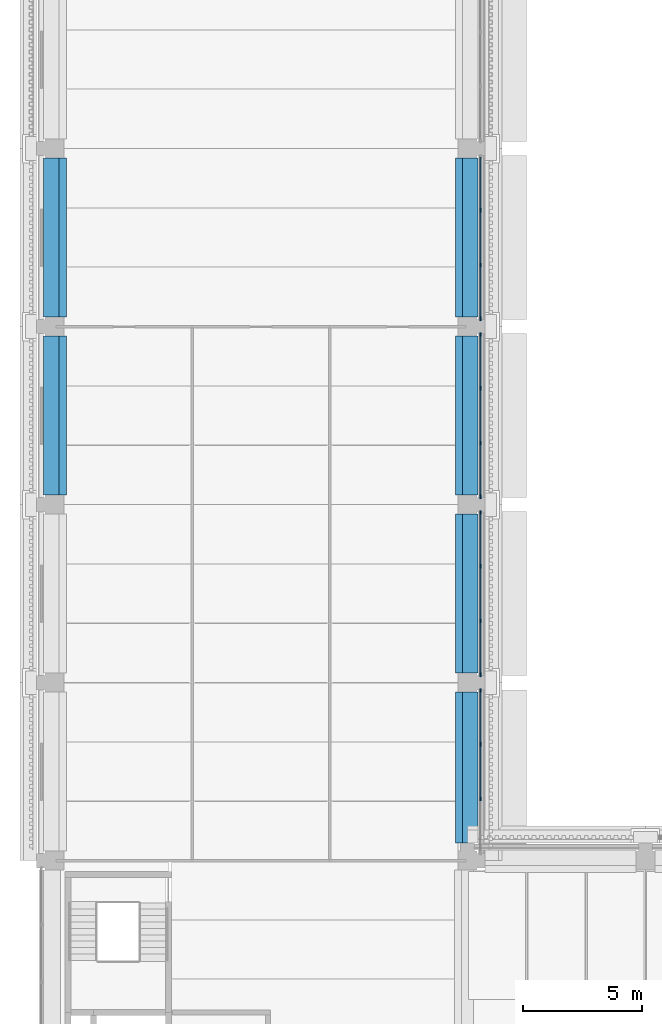
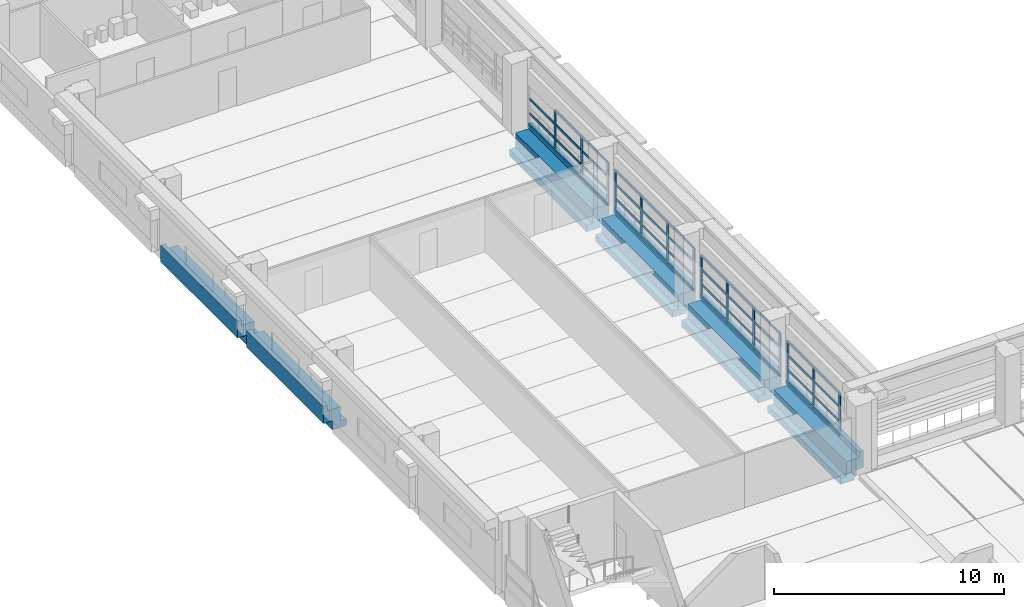
# One storey, part 9 of 71: 57 members, 6 beams, 4 elements without a shape of their own.
"""IFC4 building model written with IfcOpenShell, lengths in metres."""

from ifc_helpers import new_model, si_unit, direction, frame, origin, origin_2d, place, context, subcontext, project, spatial, polyline, rectangle, outline, extrude, material, layer, layer_set, material_profile, profile_set, type_object, element, aggregate, save


model = new_model("IFC4")

# Units and contexts
model_context = context("Model", 3, precision=1e-05, world=origin(), true_north=direction((0.0, 1.0)))
body_context = subcontext(model_context, "Body", "Model", "MODEL_VIEW")
ifc_project = project(units=[si_unit("LENGTHUNIT", "METRE"), si_unit("AREAUNIT", "SQUARE_METRE"), si_unit("VOLUMEUNIT", "CUBIC_METRE"), si_unit("PLANEANGLEUNIT", "RADIAN"), si_unit("MASSUNIT", "GRAM", prefix="KILO")], contexts=[model_context])

# Site, building, storey
site_placement = place(None, origin())
site = spatial("IfcSite", under=ifc_project, at=site_placement, CompositionType="ELEMENT")
building_placement = place(site_placement, origin())
building = spatial("IfcBuilding", under=site, at=building_placement, Name="Cour d'Honneur Mobility Palace", CompositionType="ELEMENT")
storey_placement = place(building_placement, frame((0.0, 0.0, 15.60009765625)))
storey = spatial("IfcBuildingStorey", under=building, at=storey_placement, Name="L04", CompositionType="ELEMENT", Elevation=15.60009765625)

# Curtain wall, members
ifc_material_1 = material(Name="Aluminium and glass", Category="aluminium")
ifc_layer = layer(ifc_material_1, 0.10009765625)
ifc_layer_set = layer_set([ifc_layer], Name="Aluminium and glass")
curtain_wall_type = type_object("IfcCurtainWallType", Name="Curtain wall run", PredefinedType="NOTDEFINED", material=ifc_layer_set)
curtain_wall_1_placement = place(storey_placement, origin())
curtain_wall_1 = element("IfcCurtainWall", 1, at=curtain_wall_1_placement, inside=storey, type_object=curtain_wall_type, Name="Curtain wall CW-37", PredefinedType="NOTDEFINED")
ifc_material_2 = material(Name="Aluminium", Category="aluminium")
ifc_material_profile_1 = material_profile(ifc_material_2, rectangle(XDim=0.06005859375, YDim=0.159912109375, at=origin_2d()), Name="Curtain wall mullion")
ifc_profile_set_1 = profile_set([ifc_material_profile_1], Name="Aluminium")
member_type_1 = type_object("IfcMemberType", Name="Curtain wall mullion", PredefinedType="MULLION", material=ifc_profile_set_1)
member_1_placement = place(storey_placement, frame((17.949951171875, 65.0, 0.0), z_axis=(0.0, 0.0, 1.0), x_axis=(-1.0, 0.0, 0.0)))
member_1 = element("IfcMember", 2, at=member_1_placement, type_object=member_type_1, Name="CW-37 mullion 2", PredefinedType="MULLION", context=body_context, shape_type="SweptSolid", body=[
    extrude(rectangle(XDim=0.06005859375, YDim=0.159912109375, at=origin_2d()), origin(), (0.0, 0.0, 1.0), 2.2998046875),
])
member_2_placement = place(storey_placement, frame((17.949951171875, 67.300048828125, 0.0), z_axis=(0.0, 0.0, 1.0), x_axis=(-1.0, 0.0, 0.0)))
member_2 = element("IfcMember", 3, at=member_2_placement, type_object=member_type_1, Name="CW-37 mullion 3", PredefinedType="MULLION", context=body_context, shape_type="SweptSolid", body=[
    extrude(rectangle(XDim=0.06005859375, YDim=0.159912109375, at=origin_2d()), origin(), (0.0, 0.0, 1.0), 2.2998046875),
])
member_3_placement = place(storey_placement, frame((17.949951171875, 69.570068359375, 0.0), z_axis=(0.0, 0.0, 1.0), x_axis=(-1.0, 0.0, 0.0)))
member_3 = element("IfcMember", 4, at=member_3_placement, type_object=member_type_1, Name="CW-37 mullion 4", PredefinedType="MULLION", context=body_context, shape_type="SweptSolid", body=[
    extrude(rectangle(XDim=0.06005859375, YDim=0.159912109375, at=origin_2d()), origin(), (0.0, 0.0, 1.0), 2.2998046875),
])

curtain_wall_2_placement = place(storey_placement, origin())
curtain_wall_2 = element("IfcCurtainWall", 5, at=curtain_wall_2_placement, inside=storey, type_object=curtain_wall_type, Name="Curtain wall CW-38", PredefinedType="NOTDEFINED")
member_4_placement = place(storey_placement, frame((17.949951171875, 70.22998046875, 0.0), z_axis=(0.0, 0.0, 1.0), x_axis=(-1.0, 0.0, 0.0)))
member_4 = element("IfcMember", 6, at=member_4_placement, type_object=member_type_1, Name="CW-38 mullion 1", PredefinedType="MULLION", context=body_context, shape_type="SweptSolid", body=[
    extrude(rectangle(XDim=0.06005859375, YDim=0.159912109375, at=origin_2d()), origin(), (0.0, 0.0, 1.0), 2.2998046875),
])
member_5_placement = place(storey_placement, frame((17.949951171875, 72.5, 0.0), z_axis=(0.0, 0.0, 1.0), x_axis=(-1.0, 0.0, 0.0)))
member_5 = element("IfcMember", 7, at=member_5_placement, type_object=member_type_1, Name="CW-38 mullion 2", PredefinedType="MULLION", context=body_context, shape_type="SweptSolid", body=[
    extrude(rectangle(XDim=0.06005859375, YDim=0.159912109375, at=origin_2d()), origin(), (0.0, 0.0, 1.0), 2.2998046875),
])
member_6_placement = place(storey_placement, frame((17.949951171875, 74.800048828125, 0.0), z_axis=(0.0, 0.0, 1.0), x_axis=(-1.0, 0.0, 0.0)))
member_6 = element("IfcMember", 8, at=member_6_placement, type_object=member_type_1, Name="CW-38 mullion 3", PredefinedType="MULLION", context=body_context, shape_type="SweptSolid", body=[
    extrude(rectangle(XDim=0.06005859375, YDim=0.159912109375, at=origin_2d()), origin(), (0.0, 0.0, 1.0), 2.2998046875),
])
member_7_placement = place(storey_placement, frame((17.949951171875, 77.070068359375, 0.0), z_axis=(0.0, 0.0, 1.0), x_axis=(-1.0, 0.0, 0.0)))
member_7 = element("IfcMember", 9, at=member_7_placement, type_object=member_type_1, Name="CW-38 mullion 4", PredefinedType="MULLION", context=body_context, shape_type="SweptSolid", body=[
    extrude(rectangle(XDim=0.06005859375, YDim=0.159912109375, at=origin_2d()), origin(), (0.0, 0.0, 1.0), 2.2998046875),
])

curtain_wall_3_placement = place(storey_placement, origin())
curtain_wall_3 = element("IfcCurtainWall", 10, at=curtain_wall_3_placement, inside=storey, type_object=curtain_wall_type, Name="Curtain wall CW-39", PredefinedType="NOTDEFINED")
member_8_placement = place(storey_placement, frame((17.949951171875, 77.72998046875, 0.0), z_axis=(0.0, 0.0, 1.0), x_axis=(-1.0, 0.0, 0.0)))
member_8 = element("IfcMember", 11, at=member_8_placement, type_object=member_type_1, Name="CW-39 mullion 1", PredefinedType="MULLION", context=body_context, shape_type="SweptSolid", body=[
    extrude(rectangle(XDim=0.06005859375, YDim=0.159912109375, at=origin_2d()), origin(), (0.0, 0.0, 1.0), 2.2998046875),
])
member_9_placement = place(storey_placement, frame((17.949951171875, 80.0, 0.0), z_axis=(0.0, 0.0, 1.0), x_axis=(-1.0, 0.0, 0.0)))
member_9 = element("IfcMember", 12, at=member_9_placement, type_object=member_type_1, Name="CW-39 mullion 2", PredefinedType="MULLION", context=body_context, shape_type="SweptSolid", body=[
    extrude(rectangle(XDim=0.06005859375, YDim=0.159912109375, at=origin_2d()), origin(), (0.0, 0.0, 1.0), 2.2998046875),
])
member_10_placement = place(storey_placement, frame((17.949951171875, 82.300048828125, 0.0), z_axis=(0.0, 0.0, 1.0), x_axis=(-1.0, 0.0, 0.0)))
member_10 = element("IfcMember", 13, at=member_10_placement, type_object=member_type_1, Name="CW-39 mullion 3", PredefinedType="MULLION", context=body_context, shape_type="SweptSolid", body=[
    extrude(rectangle(XDim=0.06005859375, YDim=0.159912109375, at=origin_2d()), origin(), (0.0, 0.0, 1.0), 2.2998046875),
])
member_11_placement = place(storey_placement, frame((17.949951171875, 84.570068359375, 0.0), z_axis=(0.0, 0.0, 1.0), x_axis=(-1.0, 0.0, 0.0)))
member_11 = element("IfcMember", 14, at=member_11_placement, type_object=member_type_1, Name="CW-39 mullion 4", PredefinedType="MULLION", context=body_context, shape_type="SweptSolid", body=[
    extrude(rectangle(XDim=0.06005859375, YDim=0.159912109375, at=origin_2d()), origin(), (0.0, 0.0, 1.0), 2.2998046875),
])

curtain_wall_4_placement = place(storey_placement, origin())
curtain_wall_4 = element("IfcCurtainWall", 15, at=curtain_wall_4_placement, inside=storey, type_object=curtain_wall_type, Name="Curtain wall CW-40", PredefinedType="NOTDEFINED")
member_12_placement = place(storey_placement, frame((17.949951171875, 85.22998046875, 0.0), z_axis=(0.0, 0.0, 1.0), x_axis=(-1.0, 0.0, 0.0)))
member_12 = element("IfcMember", 16, at=member_12_placement, type_object=member_type_1, Name="CW-40 mullion 1", PredefinedType="MULLION", context=body_context, shape_type="SweptSolid", body=[
    extrude(rectangle(XDim=0.06005859375, YDim=0.159912109375, at=origin_2d()), origin(), (0.0, 0.0, 1.0), 2.2998046875),
])
member_13_placement = place(storey_placement, frame((17.949951171875, 87.5, 0.0), z_axis=(0.0, 0.0, 1.0), x_axis=(-1.0, 0.0, 0.0)))
member_13 = element("IfcMember", 17, at=member_13_placement, type_object=member_type_1, Name="CW-40 mullion 2", PredefinedType="MULLION", context=body_context, shape_type="SweptSolid", body=[
    extrude(rectangle(XDim=0.06005859375, YDim=0.159912109375, at=origin_2d()), origin(), (0.0, 0.0, 1.0), 2.2998046875),
])
member_14_placement = place(storey_placement, frame((17.949951171875, 89.800048828125, 0.0), z_axis=(0.0, 0.0, 1.0), x_axis=(-1.0, 0.0, 0.0)))
member_14 = element("IfcMember", 18, at=member_14_placement, type_object=member_type_1, Name="CW-40 mullion 3", PredefinedType="MULLION", context=body_context, shape_type="SweptSolid", body=[
    extrude(rectangle(XDim=0.06005859375, YDim=0.159912109375, at=origin_2d()), origin(), (0.0, 0.0, 1.0), 2.2998046875),
])

# Member
ifc_material_3 = material(Name="Aluminium", Category="aluminium")
ifc_material_profile_2 = material_profile(ifc_material_3, rectangle(XDim=0.06005859375, YDim=0.1201171875, at=origin_2d()), Name="Curtain wall transom")
ifc_profile_set_2 = profile_set([ifc_material_profile_2], Name="Aluminium")
member_type_2 = type_object("IfcMemberType", Name="Curtain wall transom", PredefinedType="USERDEFINED", material=ifc_profile_set_2)
member_15_placement = place(storey_placement, frame((17.949951171875, 65.030029296875, 0.02978515625), z_axis=(0.0, 1.0, 0.0), x_axis=(-1.0, 0.0, 0.0)))
member_15 = element("IfcMember", 19, at=member_15_placement, type_object=member_type_2, Name="CW-37 transom 2.1", ObjectType="TRANSOM", PredefinedType="USERDEFINED", context=body_context, shape_type="SweptSolid", body=[
    extrude(rectangle(XDim=0.06005859375, YDim=0.1201171875, at=origin_2d()), origin(), (0.0, 0.0, 1.0), 2.239990234375),
])

member_16_placement = place(storey_placement, frame((17.949951171875, 65.030029296875, 0.7666015625), z_axis=(0.0, 1.0, 0.0), x_axis=(-1.0, 0.0, 0.0)))
member_16 = element("IfcMember", 20, at=member_16_placement, type_object=member_type_2, Name="CW-37 transom 2.2", ObjectType="TRANSOM", PredefinedType="USERDEFINED", context=body_context, shape_type="SweptSolid", body=[
    extrude(rectangle(XDim=0.06005859375, YDim=0.1201171875, at=origin_2d()), origin(), (0.0, 0.0, 1.0), 2.239990234375),
])

member_17_placement = place(storey_placement, frame((17.949951171875, 65.030029296875, 1.533203125), z_axis=(0.0, 1.0, 0.0), x_axis=(-1.0, 0.0, 0.0)))
member_17 = element("IfcMember", 21, at=member_17_placement, type_object=member_type_2, Name="CW-37 transom 2.3", ObjectType="TRANSOM", PredefinedType="USERDEFINED", context=body_context, shape_type="SweptSolid", body=[
    extrude(rectangle(XDim=0.06005859375, YDim=0.1201171875, at=origin_2d()), origin(), (0.0, 0.0, 1.0), 2.239990234375),
])

member_18_placement = place(storey_placement, frame((17.949951171875, 65.030029296875, 2.27001953125), z_axis=(0.0, 1.0, 0.0), x_axis=(-1.0, 0.0, 0.0)))
member_18 = element("IfcMember", 22, at=member_18_placement, type_object=member_type_2, Name="CW-37 transom 2.4", ObjectType="TRANSOM", PredefinedType="USERDEFINED", context=body_context, shape_type="SweptSolid", body=[
    extrude(rectangle(XDim=0.06005859375, YDim=0.1201171875, at=origin_2d()), origin(), (0.0, 0.0, 1.0), 2.239990234375),
])

member_19_placement = place(storey_placement, frame((17.949951171875, 67.330078125, 0.02978515625), z_axis=(0.0, 1.0, 0.0), x_axis=(-1.0, 0.0, 0.0)))
member_19 = element("IfcMember", 23, at=member_19_placement, type_object=member_type_2, Name="CW-37 transom 3.1", ObjectType="TRANSOM", PredefinedType="USERDEFINED", context=body_context, shape_type="SweptSolid", body=[
    extrude(rectangle(XDim=0.06005859375, YDim=0.1201171875, at=origin_2d()), origin(), (0.0, 0.0, 1.0), 2.2099609375),
])

member_20_placement = place(storey_placement, frame((17.949951171875, 67.330078125, 0.7666015625), z_axis=(0.0, 1.0, 0.0), x_axis=(-1.0, 0.0, 0.0)))
member_20 = element("IfcMember", 24, at=member_20_placement, type_object=member_type_2, Name="CW-37 transom 3.2", ObjectType="TRANSOM", PredefinedType="USERDEFINED", context=body_context, shape_type="SweptSolid", body=[
    extrude(rectangle(XDim=0.06005859375, YDim=0.1201171875, at=origin_2d()), origin(), (0.0, 0.0, 1.0), 2.2099609375),
])

member_21_placement = place(storey_placement, frame((17.949951171875, 67.330078125, 1.533203125), z_axis=(0.0, 1.0, 0.0), x_axis=(-1.0, 0.0, 0.0)))
member_21 = element("IfcMember", 25, at=member_21_placement, type_object=member_type_2, Name="CW-37 transom 3.3", ObjectType="TRANSOM", PredefinedType="USERDEFINED", context=body_context, shape_type="SweptSolid", body=[
    extrude(rectangle(XDim=0.06005859375, YDim=0.1201171875, at=origin_2d()), origin(), (0.0, 0.0, 1.0), 2.2099609375),
])

member_22_placement = place(storey_placement, frame((17.949951171875, 67.330078125, 2.27001953125), z_axis=(0.0, 1.0, 0.0), x_axis=(-1.0, 0.0, 0.0)))
member_22 = element("IfcMember", 26, at=member_22_placement, type_object=member_type_2, Name="CW-37 transom 3.4", ObjectType="TRANSOM", PredefinedType="USERDEFINED", context=body_context, shape_type="SweptSolid", body=[
    extrude(rectangle(XDim=0.06005859375, YDim=0.1201171875, at=origin_2d()), origin(), (0.0, 0.0, 1.0), 2.2099609375),
])

aggregate(curtain_wall_1, [member_1, member_2, member_3, member_15, member_16, member_17, member_18, member_19, member_20, member_21, member_22])

member_23_placement = place(storey_placement, frame((17.949951171875, 70.260009765625, 0.02978515625), z_axis=(0.0, 1.0, 0.0), x_axis=(-1.0, 0.0, 0.0)))
member_23 = element("IfcMember", 27, at=member_23_placement, type_object=member_type_2, Name="CW-38 transom 1.1", ObjectType="TRANSOM", PredefinedType="USERDEFINED", context=body_context, shape_type="SweptSolid", body=[
    extrude(rectangle(XDim=0.06005859375, YDim=0.1201171875, at=origin_2d()), origin(), (0.0, 0.0, 1.0), 2.2099609375),
])

member_24_placement = place(storey_placement, frame((17.949951171875, 70.260009765625, 0.7666015625), z_axis=(0.0, 1.0, 0.0), x_axis=(-1.0, 0.0, 0.0)))
member_24 = element("IfcMember", 28, at=member_24_placement, type_object=member_type_2, Name="CW-38 transom 1.2", ObjectType="TRANSOM", PredefinedType="USERDEFINED", context=body_context, shape_type="SweptSolid", body=[
    extrude(rectangle(XDim=0.06005859375, YDim=0.1201171875, at=origin_2d()), origin(), (0.0, 0.0, 1.0), 2.2099609375),
])

member_25_placement = place(storey_placement, frame((17.949951171875, 70.260009765625, 1.533203125), z_axis=(0.0, 1.0, 0.0), x_axis=(-1.0, 0.0, 0.0)))
member_25 = element("IfcMember", 29, at=member_25_placement, type_object=member_type_2, Name="CW-38 transom 1.3", ObjectType="TRANSOM", PredefinedType="USERDEFINED", context=body_context, shape_type="SweptSolid", body=[
    extrude(rectangle(XDim=0.06005859375, YDim=0.1201171875, at=origin_2d()), origin(), (0.0, 0.0, 1.0), 2.2099609375),
])

member_26_placement = place(storey_placement, frame((17.949951171875, 70.260009765625, 2.27001953125), z_axis=(0.0, 1.0, 0.0), x_axis=(-1.0, 0.0, 0.0)))
member_26 = element("IfcMember", 30, at=member_26_placement, type_object=member_type_2, Name="CW-38 transom 1.4", ObjectType="TRANSOM", PredefinedType="USERDEFINED", context=body_context, shape_type="SweptSolid", body=[
    extrude(rectangle(XDim=0.06005859375, YDim=0.1201171875, at=origin_2d()), origin(), (0.0, 0.0, 1.0), 2.2099609375),
])

member_27_placement = place(storey_placement, frame((17.949951171875, 72.530029296875, 0.02978515625), z_axis=(0.0, 1.0, 0.0), x_axis=(-1.0, 0.0, 0.0)))
member_27 = element("IfcMember", 31, at=member_27_placement, type_object=member_type_2, Name="CW-38 transom 2.1", ObjectType="TRANSOM", PredefinedType="USERDEFINED", context=body_context, shape_type="SweptSolid", body=[
    extrude(rectangle(XDim=0.06005859375, YDim=0.1201171875, at=origin_2d()), origin(), (0.0, 0.0, 1.0), 2.239990234375),
])

member_28_placement = place(storey_placement, frame((17.949951171875, 72.530029296875, 0.7666015625), z_axis=(0.0, 1.0, 0.0), x_axis=(-1.0, 0.0, 0.0)))
member_28 = element("IfcMember", 32, at=member_28_placement, type_object=member_type_2, Name="CW-38 transom 2.2", ObjectType="TRANSOM", PredefinedType="USERDEFINED", context=body_context, shape_type="SweptSolid", body=[
    extrude(rectangle(XDim=0.06005859375, YDim=0.1201171875, at=origin_2d()), origin(), (0.0, 0.0, 1.0), 2.239990234375),
])

member_29_placement = place(storey_placement, frame((17.949951171875, 72.530029296875, 1.533203125), z_axis=(0.0, 1.0, 0.0), x_axis=(-1.0, 0.0, 0.0)))
member_29 = element("IfcMember", 33, at=member_29_placement, type_object=member_type_2, Name="CW-38 transom 2.3", ObjectType="TRANSOM", PredefinedType="USERDEFINED", context=body_context, shape_type="SweptSolid", body=[
    extrude(rectangle(XDim=0.06005859375, YDim=0.1201171875, at=origin_2d()), origin(), (0.0, 0.0, 1.0), 2.239990234375),
])

member_30_placement = place(storey_placement, frame((17.949951171875, 72.530029296875, 2.27001953125), z_axis=(0.0, 1.0, 0.0), x_axis=(-1.0, 0.0, 0.0)))
member_30 = element("IfcMember", 34, at=member_30_placement, type_object=member_type_2, Name="CW-38 transom 2.4", ObjectType="TRANSOM", PredefinedType="USERDEFINED", context=body_context, shape_type="SweptSolid", body=[
    extrude(rectangle(XDim=0.06005859375, YDim=0.1201171875, at=origin_2d()), origin(), (0.0, 0.0, 1.0), 2.239990234375),
])

member_31_placement = place(storey_placement, frame((17.949951171875, 74.830078125, 0.02978515625), z_axis=(0.0, 1.0, 0.0), x_axis=(-1.0, 0.0, 0.0)))
member_31 = element("IfcMember", 35, at=member_31_placement, type_object=member_type_2, Name="CW-38 transom 3.1", ObjectType="TRANSOM", PredefinedType="USERDEFINED", context=body_context, shape_type="SweptSolid", body=[
    extrude(rectangle(XDim=0.06005859375, YDim=0.1201171875, at=origin_2d()), origin(), (0.0, 0.0, 1.0), 2.2099609375),
])

member_32_placement = place(storey_placement, frame((17.949951171875, 74.830078125, 0.7666015625), z_axis=(0.0, 1.0, 0.0), x_axis=(-1.0, 0.0, 0.0)))
member_32 = element("IfcMember", 36, at=member_32_placement, type_object=member_type_2, Name="CW-38 transom 3.2", ObjectType="TRANSOM", PredefinedType="USERDEFINED", context=body_context, shape_type="SweptSolid", body=[
    extrude(rectangle(XDim=0.06005859375, YDim=0.1201171875, at=origin_2d()), origin(), (0.0, 0.0, 1.0), 2.2099609375),
])

member_33_placement = place(storey_placement, frame((17.949951171875, 74.830078125, 1.533203125), z_axis=(0.0, 1.0, 0.0), x_axis=(-1.0, 0.0, 0.0)))
member_33 = element("IfcMember", 37, at=member_33_placement, type_object=member_type_2, Name="CW-38 transom 3.3", ObjectType="TRANSOM", PredefinedType="USERDEFINED", context=body_context, shape_type="SweptSolid", body=[
    extrude(rectangle(XDim=0.06005859375, YDim=0.1201171875, at=origin_2d()), origin(), (0.0, 0.0, 1.0), 2.2099609375),
])

member_34_placement = place(storey_placement, frame((17.949951171875, 74.830078125, 2.27001953125), z_axis=(0.0, 1.0, 0.0), x_axis=(-1.0, 0.0, 0.0)))
member_34 = element("IfcMember", 38, at=member_34_placement, type_object=member_type_2, Name="CW-38 transom 3.4", ObjectType="TRANSOM", PredefinedType="USERDEFINED", context=body_context, shape_type="SweptSolid", body=[
    extrude(rectangle(XDim=0.06005859375, YDim=0.1201171875, at=origin_2d()), origin(), (0.0, 0.0, 1.0), 2.2099609375),
])

aggregate(curtain_wall_2, [member_4, member_5, member_6, member_7, member_23, member_24, member_25, member_26, member_27, member_28, member_29, member_30, member_31, member_32, member_33, member_34])

member_35_placement = place(storey_placement, frame((17.949951171875, 77.760009765625, 0.02978515625), z_axis=(0.0, 1.0, 0.0), x_axis=(-1.0, 0.0, 0.0)))
member_35 = element("IfcMember", 39, at=member_35_placement, type_object=member_type_2, Name="CW-39 transom 1.1", ObjectType="TRANSOM", PredefinedType="USERDEFINED", context=body_context, shape_type="SweptSolid", body=[
    extrude(rectangle(XDim=0.06005859375, YDim=0.1201171875, at=origin_2d()), origin(), (0.0, 0.0, 1.0), 2.2099609375),
])

member_36_placement = place(storey_placement, frame((17.949951171875, 77.760009765625, 0.7666015625), z_axis=(0.0, 1.0, 0.0), x_axis=(-1.0, 0.0, 0.0)))
member_36 = element("IfcMember", 40, at=member_36_placement, type_object=member_type_2, Name="CW-39 transom 1.2", ObjectType="TRANSOM", PredefinedType="USERDEFINED", context=body_context, shape_type="SweptSolid", body=[
    extrude(rectangle(XDim=0.06005859375, YDim=0.1201171875, at=origin_2d()), origin(), (0.0, 0.0, 1.0), 2.2099609375),
])

member_37_placement = place(storey_placement, frame((17.949951171875, 77.760009765625, 1.533203125), z_axis=(0.0, 1.0, 0.0), x_axis=(-1.0, 0.0, 0.0)))
member_37 = element("IfcMember", 41, at=member_37_placement, type_object=member_type_2, Name="CW-39 transom 1.3", ObjectType="TRANSOM", PredefinedType="USERDEFINED", context=body_context, shape_type="SweptSolid", body=[
    extrude(rectangle(XDim=0.06005859375, YDim=0.1201171875, at=origin_2d()), origin(), (0.0, 0.0, 1.0), 2.2099609375),
])

member_38_placement = place(storey_placement, frame((17.949951171875, 77.760009765625, 2.27001953125), z_axis=(0.0, 1.0, 0.0), x_axis=(-1.0, 0.0, 0.0)))
member_38 = element("IfcMember", 42, at=member_38_placement, type_object=member_type_2, Name="CW-39 transom 1.4", ObjectType="TRANSOM", PredefinedType="USERDEFINED", context=body_context, shape_type="SweptSolid", body=[
    extrude(rectangle(XDim=0.06005859375, YDim=0.1201171875, at=origin_2d()), origin(), (0.0, 0.0, 1.0), 2.2099609375),
])

member_39_placement = place(storey_placement, frame((17.949951171875, 80.030029296875, 0.02978515625), z_axis=(0.0, 1.0, 0.0), x_axis=(-1.0, 0.0, 0.0)))
member_39 = element("IfcMember", 43, at=member_39_placement, type_object=member_type_2, Name="CW-39 transom 2.1", ObjectType="TRANSOM", PredefinedType="USERDEFINED", context=body_context, shape_type="SweptSolid", body=[
    extrude(rectangle(XDim=0.06005859375, YDim=0.1201171875, at=origin_2d()), origin(), (0.0, 0.0, 1.0), 2.239990234375),
])

member_40_placement = place(storey_placement, frame((17.949951171875, 80.030029296875, 0.7666015625), z_axis=(0.0, 1.0, 0.0), x_axis=(-1.0, 0.0, 0.0)))
member_40 = element("IfcMember", 44, at=member_40_placement, type_object=member_type_2, Name="CW-39 transom 2.2", ObjectType="TRANSOM", PredefinedType="USERDEFINED", context=body_context, shape_type="SweptSolid", body=[
    extrude(rectangle(XDim=0.06005859375, YDim=0.1201171875, at=origin_2d()), origin(), (0.0, 0.0, 1.0), 2.239990234375),
])

member_41_placement = place(storey_placement, frame((17.949951171875, 80.030029296875, 1.533203125), z_axis=(0.0, 1.0, 0.0), x_axis=(-1.0, 0.0, 0.0)))
member_41 = element("IfcMember", 45, at=member_41_placement, type_object=member_type_2, Name="CW-39 transom 2.3", ObjectType="TRANSOM", PredefinedType="USERDEFINED", context=body_context, shape_type="SweptSolid", body=[
    extrude(rectangle(XDim=0.06005859375, YDim=0.1201171875, at=origin_2d()), origin(), (0.0, 0.0, 1.0), 2.239990234375),
])

member_42_placement = place(storey_placement, frame((17.949951171875, 80.030029296875, 2.27001953125), z_axis=(0.0, 1.0, 0.0), x_axis=(-1.0, 0.0, 0.0)))
member_42 = element("IfcMember", 46, at=member_42_placement, type_object=member_type_2, Name="CW-39 transom 2.4", ObjectType="TRANSOM", PredefinedType="USERDEFINED", context=body_context, shape_type="SweptSolid", body=[
    extrude(rectangle(XDim=0.06005859375, YDim=0.1201171875, at=origin_2d()), origin(), (0.0, 0.0, 1.0), 2.239990234375),
])

member_43_placement = place(storey_placement, frame((17.949951171875, 82.330078125, 0.02978515625), z_axis=(0.0, 1.0, 0.0), x_axis=(-1.0, 0.0, 0.0)))
member_43 = element("IfcMember", 47, at=member_43_placement, type_object=member_type_2, Name="CW-39 transom 3.1", ObjectType="TRANSOM", PredefinedType="USERDEFINED", context=body_context, shape_type="SweptSolid", body=[
    extrude(rectangle(XDim=0.06005859375, YDim=0.1201171875, at=origin_2d()), origin(), (0.0, 0.0, 1.0), 2.2099609375),
])

member_44_placement = place(storey_placement, frame((17.949951171875, 82.330078125, 0.7666015625), z_axis=(0.0, 1.0, 0.0), x_axis=(-1.0, 0.0, 0.0)))
member_44 = element("IfcMember", 48, at=member_44_placement, type_object=member_type_2, Name="CW-39 transom 3.2", ObjectType="TRANSOM", PredefinedType="USERDEFINED", context=body_context, shape_type="SweptSolid", body=[
    extrude(rectangle(XDim=0.06005859375, YDim=0.1201171875, at=origin_2d()), origin(), (0.0, 0.0, 1.0), 2.2099609375),
])

member_45_placement = place(storey_placement, frame((17.949951171875, 82.330078125, 1.533203125), z_axis=(0.0, 1.0, 0.0), x_axis=(-1.0, 0.0, 0.0)))
member_45 = element("IfcMember", 49, at=member_45_placement, type_object=member_type_2, Name="CW-39 transom 3.3", ObjectType="TRANSOM", PredefinedType="USERDEFINED", context=body_context, shape_type="SweptSolid", body=[
    extrude(rectangle(XDim=0.06005859375, YDim=0.1201171875, at=origin_2d()), origin(), (0.0, 0.0, 1.0), 2.2099609375),
])

member_46_placement = place(storey_placement, frame((17.949951171875, 82.330078125, 2.27001953125), z_axis=(0.0, 1.0, 0.0), x_axis=(-1.0, 0.0, 0.0)))
member_46 = element("IfcMember", 50, at=member_46_placement, type_object=member_type_2, Name="CW-39 transom 3.4", ObjectType="TRANSOM", PredefinedType="USERDEFINED", context=body_context, shape_type="SweptSolid", body=[
    extrude(rectangle(XDim=0.06005859375, YDim=0.1201171875, at=origin_2d()), origin(), (0.0, 0.0, 1.0), 2.2099609375),
])

aggregate(curtain_wall_3, [member_8, member_9, member_10, member_11, member_35, member_36, member_37, member_38, member_39, member_40, member_41, member_42, member_43, member_44, member_45, member_46])

member_47_placement = place(storey_placement, frame((17.949951171875, 85.260009765625, 0.02978515625), z_axis=(0.0, 1.0, 0.0), x_axis=(-1.0, 0.0, 0.0)))
member_47 = element("IfcMember", 51, at=member_47_placement, type_object=member_type_2, Name="CW-40 transom 1.1", ObjectType="TRANSOM", PredefinedType="USERDEFINED", context=body_context, shape_type="SweptSolid", body=[
    extrude(rectangle(XDim=0.06005859375, YDim=0.1201171875, at=origin_2d()), origin(), (0.0, 0.0, 1.0), 2.2099609375),
])

member_48_placement = place(storey_placement, frame((17.949951171875, 85.260009765625, 0.7666015625), z_axis=(0.0, 1.0, 0.0), x_axis=(-1.0, 0.0, 0.0)))
member_48 = element("IfcMember", 52, at=member_48_placement, type_object=member_type_2, Name="CW-40 transom 1.2", ObjectType="TRANSOM", PredefinedType="USERDEFINED", context=body_context, shape_type="SweptSolid", body=[
    extrude(rectangle(XDim=0.06005859375, YDim=0.1201171875, at=origin_2d()), origin(), (0.0, 0.0, 1.0), 2.2099609375),
])

member_49_placement = place(storey_placement, frame((17.949951171875, 85.260009765625, 1.533203125), z_axis=(0.0, 1.0, 0.0), x_axis=(-1.0, 0.0, 0.0)))
member_49 = element("IfcMember", 53, at=member_49_placement, type_object=member_type_2, Name="CW-40 transom 1.3", ObjectType="TRANSOM", PredefinedType="USERDEFINED", context=body_context, shape_type="SweptSolid", body=[
    extrude(rectangle(XDim=0.06005859375, YDim=0.1201171875, at=origin_2d()), origin(), (0.0, 0.0, 1.0), 2.2099609375),
])

member_50_placement = place(storey_placement, frame((17.949951171875, 85.260009765625, 2.27001953125), z_axis=(0.0, 1.0, 0.0), x_axis=(-1.0, 0.0, 0.0)))
member_50 = element("IfcMember", 54, at=member_50_placement, type_object=member_type_2, Name="CW-40 transom 1.4", ObjectType="TRANSOM", PredefinedType="USERDEFINED", context=body_context, shape_type="SweptSolid", body=[
    extrude(rectangle(XDim=0.06005859375, YDim=0.1201171875, at=origin_2d()), origin(), (0.0, 0.0, 1.0), 2.2099609375),
])

member_51_placement = place(storey_placement, frame((17.949951171875, 87.530029296875, 0.02978515625), z_axis=(0.0, 1.0, 0.0), x_axis=(-1.0, 0.0, 0.0)))
member_51 = element("IfcMember", 55, at=member_51_placement, type_object=member_type_2, Name="CW-40 transom 2.1", ObjectType="TRANSOM", PredefinedType="USERDEFINED", context=body_context, shape_type="SweptSolid", body=[
    extrude(rectangle(XDim=0.06005859375, YDim=0.1201171875, at=origin_2d()), origin(), (0.0, 0.0, 1.0), 2.239990234375),
])

member_52_placement = place(storey_placement, frame((17.949951171875, 87.530029296875, 0.7666015625), z_axis=(0.0, 1.0, 0.0), x_axis=(-1.0, 0.0, 0.0)))
member_52 = element("IfcMember", 56, at=member_52_placement, type_object=member_type_2, Name="CW-40 transom 2.2", ObjectType="TRANSOM", PredefinedType="USERDEFINED", context=body_context, shape_type="SweptSolid", body=[
    extrude(rectangle(XDim=0.06005859375, YDim=0.1201171875, at=origin_2d()), origin(), (0.0, 0.0, 1.0), 2.239990234375),
])

member_53_placement = place(storey_placement, frame((17.949951171875, 87.530029296875, 1.533203125), z_axis=(0.0, 1.0, 0.0), x_axis=(-1.0, 0.0, 0.0)))
member_53 = element("IfcMember", 57, at=member_53_placement, type_object=member_type_2, Name="CW-40 transom 2.3", ObjectType="TRANSOM", PredefinedType="USERDEFINED", context=body_context, shape_type="SweptSolid", body=[
    extrude(rectangle(XDim=0.06005859375, YDim=0.1201171875, at=origin_2d()), origin(), (0.0, 0.0, 1.0), 2.239990234375),
])

member_54_placement = place(storey_placement, frame((17.949951171875, 87.530029296875, 2.27001953125), z_axis=(0.0, 1.0, 0.0), x_axis=(-1.0, 0.0, 0.0)))
member_54 = element("IfcMember", 58, at=member_54_placement, type_object=member_type_2, Name="CW-40 transom 2.4", ObjectType="TRANSOM", PredefinedType="USERDEFINED", context=body_context, shape_type="SweptSolid", body=[
    extrude(rectangle(XDim=0.06005859375, YDim=0.1201171875, at=origin_2d()), origin(), (0.0, 0.0, 1.0), 2.239990234375),
])

member_55_placement = place(storey_placement, frame((17.949951171875, 89.830078125, 0.02978515625), z_axis=(0.0, 1.0, 0.0), x_axis=(-1.0, 0.0, 0.0)))
member_55 = element("IfcMember", 59, at=member_55_placement, type_object=member_type_2, Name="CW-40 transom 3.1", ObjectType="TRANSOM", PredefinedType="USERDEFINED", context=body_context, shape_type="SweptSolid", body=[
    extrude(rectangle(XDim=0.06005859375, YDim=0.1201171875, at=origin_2d()), origin(), (0.0, 0.0, 1.0), 2.2099609375),
])

member_56_placement = place(storey_placement, frame((17.949951171875, 89.830078125, 0.7666015625), z_axis=(0.0, 1.0, 0.0), x_axis=(-1.0, 0.0, 0.0)))
member_56 = element("IfcMember", 60, at=member_56_placement, type_object=member_type_2, Name="CW-40 transom 3.2", ObjectType="TRANSOM", PredefinedType="USERDEFINED", context=body_context, shape_type="SweptSolid", body=[
    extrude(rectangle(XDim=0.06005859375, YDim=0.1201171875, at=origin_2d()), origin(), (0.0, 0.0, 1.0), 2.2099609375),
])

member_57_placement = place(storey_placement, frame((17.949951171875, 89.830078125, 1.533203125), z_axis=(0.0, 1.0, 0.0), x_axis=(-1.0, 0.0, 0.0)))
member_57 = element("IfcMember", 61, at=member_57_placement, type_object=member_type_2, Name="CW-40 transom 3.3", ObjectType="TRANSOM", PredefinedType="USERDEFINED", context=body_context, shape_type="SweptSolid", body=[
    extrude(rectangle(XDim=0.06005859375, YDim=0.1201171875, at=origin_2d()), origin(), (0.0, 0.0, 1.0), 2.2099609375),
])

aggregate(curtain_wall_4, [member_12, member_13, member_14, member_47, member_48, member_49, member_50, member_51, member_52, member_53, member_54, member_55, member_56, member_57])

# Beams
ifc_material_4 = material(Name="Concrete C45", Category="concrete")
ifc_material_profile_3 = material_profile(ifc_material_4, outline(polyline([(0.5, -1.10009765625), (0.5, -0.75), (0.199951171875, -0.75), (0.199951171875, 0.0), (-0.199951171875, 0.0), (-0.449951171875, 0.0), (-0.449951171875, 0.300048828125), (-0.64990234375, 0.300048828125), (-0.64990234375, -0.60009765625), (-0.199951171875, -0.60009765625), (-0.199951171875, -1.10009765625), (0.5, -1.10009765625)])), Name="Ledger Beam 400x1100 ledge left 350 facade right")
ifc_profile_set_3 = profile_set([ifc_material_profile_3], Name="Concrete C45")
beam_type_1 = type_object("IfcBeamType", Name="Ledger Beam 400x1100 ledge left 350 facade right", PredefinedType="BEAM", material=ifc_profile_set_3)
beam_placement = place(storey_placement, frame((17.39990234375, 63.14990234375, 0.0), z_axis=(0.0, 1.0, 0.0), x_axis=(-1.0, 0.0, 0.0)))
element("IfcBeam", 62, at=beam_placement, inside=storey, type_object=beam_type_1, Name="Precast beam B2 H-J L04", PredefinedType="BEAM", context=body_context, shape_type="SweptSolid", body=[
    extrude(outline(polyline([(0.5, -1.10009765625), (0.5, -0.75), (0.199951171875, -0.75), (0.199951171875, 0.0), (-0.199951171875, 0.0), (-0.449951171875, 0.0), (-0.449951171875, 0.300048828125), (-0.64990234375, 0.300048828125), (-0.64990234375, -0.60009765625), (-0.199951171875, -0.60009765625), (-0.199951171875, -1.10009765625), (0.5, -1.10009765625)])), origin(), (0.0, 0.0, 1.0), 6.35009765625),
])
for number, where, z_axis, x_axis, name in (
    (63, (17.39990234375, 70.300048828125, 0.0), (0.0, 1.0, 0.0), (-1.0, 0.0, 0.0), "Precast beam B2 J-K L04"),
    (64, (17.39990234375, 77.800048828125, 0.0), (0.0, 1.0, 0.0), (-1.0, 0.0, 0.0), "Precast beam B2 K-L L04"),
    (65, (17.39990234375, 85.300048828125, 0.0), (0.0, 1.0, 0.0), (-1.0, 0.0, 0.0), "Precast beam B2 L-M L04"),
):
    element("IfcBeam", number, at=place(storey_placement, frame(where, z_axis=z_axis, x_axis=x_axis)), inside=storey, type_object=beam_type_1, Name=name, PredefinedType="BEAM", context=body_context, shape_type="SweptSolid", body=[
        extrude(outline(polyline([(0.5, -1.10009765625), (0.5, -0.75), (0.199951171875, -0.75), (0.199951171875, 0.0), (-0.199951171875, 0.0), (-0.449951171875, 0.0), (-0.449951171875, 0.300048828125), (-0.64990234375, 0.300048828125), (-0.64990234375, -0.60009765625), (-0.199951171875, -0.60009765625), (-0.199951171875, -1.10009765625), (0.5, -1.10009765625)])), origin(), (0.0, 0.0, 1.0), 6.699951171875),
    ])
ifc_material_5 = material(Name="Concrete C45", Category="concrete")
ifc_material_profile_4 = material_profile(ifc_material_5, outline(polyline([(0.199951171875, -1.10009765625), (0.199951171875, -0.60009765625), (0.64990234375, -0.60009765625), (0.64990234375, 0.300048828125), (0.449951171875, 0.300048828125), (0.449951171875, 0.0), (0.199951171875, 0.0), (-0.199951171875, 0.0), (-0.199951171875, -0.75), (-0.5, -0.75), (-0.5, -1.10009765625), (0.199951171875, -1.10009765625)])), Name="Ledger Beam 400x1100 ledge right 350 facade left")
ifc_profile_set_4 = profile_set([ifc_material_profile_4], Name="Concrete C45")
beam_type_2 = type_object("IfcBeamType", Name="Ledger Beam 400x1100 ledge right 350 facade left", PredefinedType="BEAM", material=ifc_profile_set_4)
for number, where, z_axis, x_axis, name in (
    (66, (0.0, 77.800048828125, 0.0), (0.0, 1.0, 0.0), (-1.0, 0.0, 0.0), "Precast beam B4 K-L L04"),
    (67, (0.0, 85.300048828125, 0.0), (0.0, 1.0, 0.0), (-1.0, 0.0, 0.0), "Precast beam B4 L-M L04"),
):
    element("IfcBeam", number, at=place(storey_placement, frame(where, z_axis=z_axis, x_axis=x_axis)), inside=storey, type_object=beam_type_2, Name=name, PredefinedType="BEAM", context=body_context, shape_type="SweptSolid", body=[
        extrude(outline(polyline([(0.199951171875, -1.10009765625), (0.199951171875, -0.60009765625), (0.64990234375, -0.60009765625), (0.64990234375, 0.300048828125), (0.449951171875, 0.300048828125), (0.449951171875, 0.0), (0.199951171875, 0.0), (-0.199951171875, 0.0), (-0.199951171875, -0.75), (-0.5, -0.75), (-0.5, -1.10009765625), (0.199951171875, -1.10009765625)])), origin(), (0.0, 0.0, 1.0), 6.699951171875),
    ])

save(model, "model.ifc")
